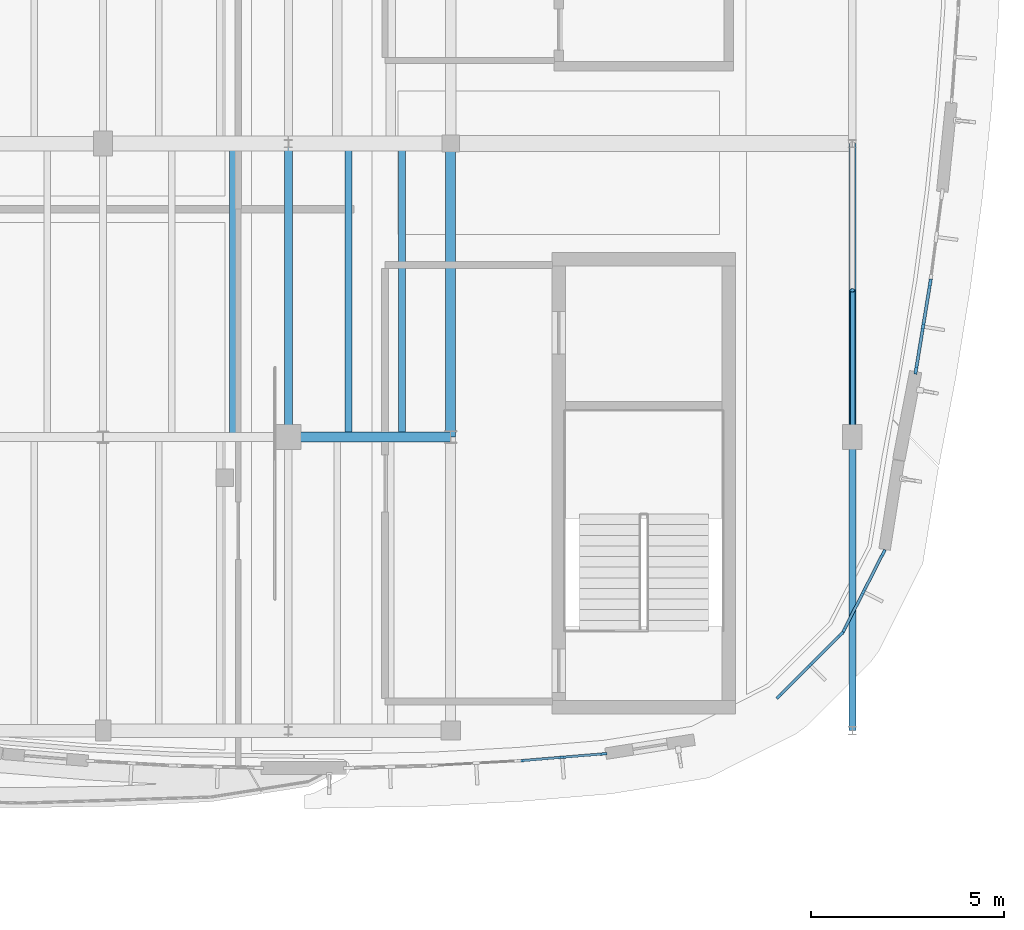
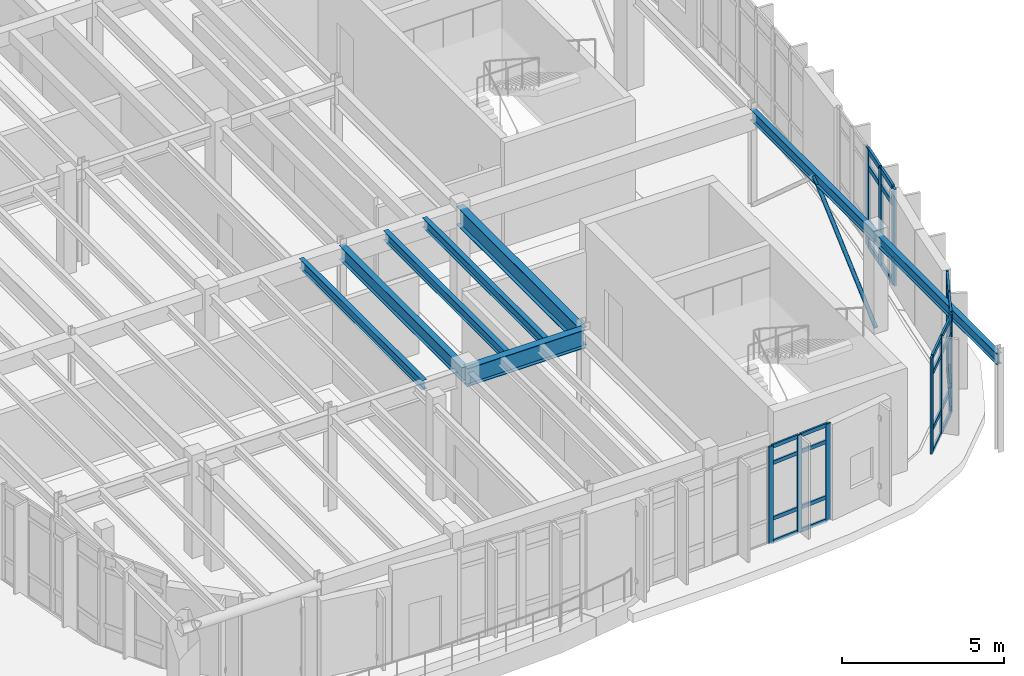
# One storey, part 42 of 105: 45 members, 8 beams, 4 elements without a shape of their own.
"""IFC4 building model written with IfcOpenShell, lengths in metres."""

from ifc_helpers import new_model, si_unit, direction, frame, origin, origin_2d, place, context, subcontext, project, spatial, rectangle, hollow_circle, i_section, extrude, material, material_profile, profile_set, type_object, element, aggregate, save


model = new_model("IFC4")

# Units and contexts
model_context = context("Model", 3, precision=1e-05, world=origin(), true_north=direction((0.0, 1.0)))
body_context = subcontext(model_context, "Body", "Model", "MODEL_VIEW")
ifc_project = project(units=[si_unit("LENGTHUNIT", "METRE"), si_unit("AREAUNIT", "SQUARE_METRE"), si_unit("VOLUMEUNIT", "CUBIC_METRE"), si_unit("PLANEANGLEUNIT", "RADIAN"), si_unit("MASSUNIT", "GRAM", prefix="KILO")], contexts=[model_context])

# Site, building, storey
site_placement = place(None, origin())
site = spatial("IfcSite", under=ifc_project, at=site_placement, CompositionType="ELEMENT")
building_placement = place(site_placement, origin())
building = spatial("IfcBuilding", under=site, at=building_placement, Name="Corveleigh Park Community Centre", CompositionType="ELEMENT")
storey_placement = place(building_placement, frame((0.0, 0.0, 8.699951171875)))
storey = spatial("IfcBuildingStorey", under=building, at=storey_placement, Name="L02", CompositionType="ELEMENT", Elevation=8.699951171875)

# Beams
ifc_material_1 = material(Name="Steel S355", Category="steel")
ifc_material_profile_1 = material_profile(ifc_material_1, i_section(OverallWidth=0.171142578125, OverallDepth=0.351318359375, WebThickness=0.007080078125, FlangeThickness=0.009765625, at=origin_2d()), Name="UKB 356x171x45", Category="steel")
ifc_profile_set_1 = profile_set([ifc_material_profile_1], Name="Steel S355")
beam_type_1 = type_object("IfcBeamType", Name="BM-STL-UKB356x45", PredefinedType="JOIST", material=ifc_profile_set_1)
beam_1_placement = place(storey_placement, frame((152.360107421875, 66.205078125, 3.46630859375), z_axis=(0.0, 1.0, 0.0), x_axis=(-1.0, 0.0, 0.0)))
element("IfcBeam", 1, at=beam_1_placement, inside=storey, type_object=beam_type_1, Name="Secondary floor joist", PredefinedType="JOIST", context=body_context, shape_type="SweptSolid", body=[
    extrude(i_section(OverallWidth=0.171142578125, OverallDepth=0.351318359375, WebThickness=0.007080078125, FlangeThickness=0.009765625, at=origin_2d()), origin(), (0.0, 0.0, 1.0), 7.58984375),
])
ifc_material_profile_2 = material_profile(ifc_material_1, i_section(OverallWidth=0.17138671875, OverallDepth=0.35498046875, WebThickness=0.00732421875, FlangeThickness=0.011474609375, at=origin_2d()), Name="UKB 356x171x51", Category="steel")
ifc_profile_set_2 = profile_set([ifc_material_profile_2], Name="Steel S355")
beam_type_2 = type_object("IfcBeamType", Name="BM-STL-UKB356x51", PredefinedType="JOIST", material=ifc_profile_set_2)
for number, where, z_axis, x_axis, name in (
    (2, (155.35400390625, 66.205078125, 3.464599609375), (0.0, 1.0, 0.0), (-1.0, 0.0, 0.0), "Secondary floor joist"),
    (3, (156.739990234375, 66.205078125, 3.464599609375), (0.0, 1.0, 0.0), (-1.0, 0.0, 0.0), "Secondary floor joist"),
):
    element("IfcBeam", number, at=place(storey_placement, frame(where, z_axis=z_axis, x_axis=x_axis)), inside=storey, type_object=beam_type_2, Name=name, PredefinedType="JOIST", context=body_context, shape_type="SweptSolid", body=[
        extrude(i_section(OverallWidth=0.17138671875, OverallDepth=0.35498046875, WebThickness=0.00732421875, FlangeThickness=0.011474609375, at=origin_2d()), origin(), (0.0, 0.0, 1.0), 7.58984375),
    ])
ifc_material_profile_3 = material_profile(ifc_material_1, i_section(OverallWidth=0.1787109375, OverallDepth=0.409423828125, WebThickness=0.0087890625, FlangeThickness=0.014404296875, at=origin_2d()), Name="UKB 406x178x67", Category="steel")
ifc_profile_set_3 = profile_set([ifc_material_profile_3], Name="Steel S355")
beam_type_3 = type_object("IfcBeamType", Name="BM-STL-UKB406x67", PredefinedType="BEAM", material=ifc_profile_set_3)
beam_2_placement = place(storey_placement, frame((168.39990234375, 58.60498046875, 3.437255859375), z_axis=(0.0, 1.0, 0.0), x_axis=(-1.0, 0.0, 0.0)))
element("IfcBeam", 4, at=beam_2_placement, inside=storey, type_object=beam_type_3, Name="V4 Girder Y", PredefinedType="BEAM", context=body_context, shape_type="SweptSolid", body=[
    extrude(i_section(OverallWidth=0.1787109375, OverallDepth=0.409423828125, WebThickness=0.0087890625, FlangeThickness=0.014404296875, at=origin_2d()), origin(), (0.0, 0.0, 1.0), 7.590087890625),
])
ifc_material_profile_4 = material_profile(ifc_material_1, i_section(OverallWidth=0.179443359375, OverallDepth=0.412841796875, WebThickness=0.009521484375, FlangeThickness=0.01611328125, at=origin_2d()), Name="UKB 406x178x74", Category="steel")
ifc_profile_set_4 = profile_set([ifc_material_profile_4], Name="Steel S355")
beam_type_4 = type_object("IfcBeamType", Name="BM-STL-UKB406x74", PredefinedType="BEAM", material=ifc_profile_set_4)
beam_3_placement = place(storey_placement, frame((168.39990234375, 66.205078125, 3.435546875), z_axis=(0.0, 1.0, 0.0), x_axis=(-1.0, 0.0, 0.0)))
element("IfcBeam", 5, at=beam_3_placement, inside=storey, type_object=beam_type_4, Name="V4 Girder Y", PredefinedType="BEAM", context=body_context, shape_type="SweptSolid", body=[
    extrude(i_section(OverallWidth=0.179443359375, OverallDepth=0.412841796875, WebThickness=0.009521484375, FlangeThickness=0.01611328125, at=origin_2d()), origin(), (0.0, 0.0, 1.0), 7.58984375),
])
ifc_material_profile_5 = material_profile(ifc_material_1, i_section(OverallWidth=0.209228515625, OverallDepth=0.533203125, WebThickness=0.010009765625, FlangeThickness=0.015625, at=origin_2d()), Name="UKB 533x210x92", Category="steel")
ifc_profile_set_5 = profile_set([ifc_material_profile_5], Name="Steel S355")
beam_type_5 = type_object("IfcBeamType", Name="BM-STL-UKB533x92", PredefinedType="BEAM", material=ifc_profile_set_5)
beam_4_placement = place(storey_placement, frame((153.800048828125, 66.205078125, 3.37548828125), z_axis=(0.0, 1.0, 0.0), x_axis=(-1.0, 0.0, 0.0)))
element("IfcBeam", 6, at=beam_4_placement, inside=storey, type_object=beam_type_5, Name="V4 Girder Y", PredefinedType="BEAM", context=body_context, shape_type="SweptSolid", body=[
    extrude(i_section(OverallWidth=0.209228515625, OverallDepth=0.533203125, WebThickness=0.010009765625, FlangeThickness=0.015625, at=origin_2d()), origin(), (0.0, 0.0, 1.0), 7.58984375),
])
ifc_material_profile_6 = material_profile(ifc_material_1, i_section(OverallWidth=0.253662109375, OverallDepth=0.68359375, WebThickness=0.012451171875, FlangeThickness=0.01904296875, at=origin_2d()), Name="UKB 686x254x140", Category="steel")
ifc_profile_set_6 = profile_set([ifc_material_profile_6], Name="Steel S355")
beam_type_6 = type_object("IfcBeamType", Name="BM-STL-UKB686x140", PredefinedType="BEAM", material=ifc_profile_set_6)
beam_5_placement = place(storey_placement, frame((153.804931640625, 66.199951171875, 3.30029296875), z_axis=(1.0, 0.0, 0.0), x_axis=(0.0, 1.0, 0.0)))
element("IfcBeam", 7, at=beam_5_placement, inside=storey, type_object=beam_type_6, Name="V4 Girder X", PredefinedType="BEAM", context=body_context, shape_type="SweptSolid", body=[
    extrude(i_section(OverallWidth=0.253662109375, OverallDepth=0.68359375, WebThickness=0.012451171875, FlangeThickness=0.01904296875, at=origin_2d()), origin(), (0.0, 0.0, 1.0), 4.190185546875),
])
ifc_material_profile_7 = material_profile(ifc_material_1, i_section(OverallWidth=0.25439453125, OverallDepth=0.6875, WebThickness=0.01318359375, FlangeThickness=0.02099609375, at=origin_2d()), Name="UKB 686x254x152", Category="steel")
ifc_profile_set_7 = profile_set([ifc_material_profile_7], Name="Steel S355")
beam_type_7 = type_object("IfcBeamType", Name="BM-STL-UKB686x152", PredefinedType="BEAM", material=ifc_profile_set_7)
beam_6_placement = place(storey_placement, frame((158.0, 66.205078125, 3.29833984375), z_axis=(0.0, 1.0, 0.0), x_axis=(-1.0, 0.0, 0.0)))
element("IfcBeam", 8, at=beam_6_placement, inside=storey, type_object=beam_type_7, Name="V4 Girder Y", PredefinedType="BEAM", context=body_context, shape_type="SweptSolid", body=[
    extrude(i_section(OverallWidth=0.25439453125, OverallDepth=0.6875, WebThickness=0.01318359375, FlangeThickness=0.02099609375, at=origin_2d()), origin(), (0.0, 0.0, 1.0), 7.58984375),
])

# Curtain wall, members
ifc_material_2 = material(Name="Anodised aluminium 6063-T6", Category="aluminium")
curtain_wall_type = type_object("IfcCurtainWallType", Name="CW-SYS-V4-L01", PredefinedType="NOTDEFINED", material=ifc_material_2)
curtain_wall_1_placement = place(storey_placement, origin())
curtain_wall_1 = element("IfcCurtainWall", 9, at=curtain_wall_1_placement, inside=storey, type_object=curtain_wall_type, Name="V4 L02 Curtain Wall 362", PredefinedType="NOTDEFINED")
ifc_material_profile_8 = material_profile(ifc_material_2, rectangle(XDim=0.06494140625, YDim=0.179931640625, at=origin_2d()), Name="ALU-M65x180", Category="aluminium")
ifc_profile_set_8 = profile_set([ifc_material_profile_8], Name="Anodised aluminium 6063-T6")
member_type_1 = type_object("IfcMemberType", Name="CWM-65x180", PredefinedType="MULLION", material=ifc_profile_set_8)
member_1_placement = place(storey_placement, frame((161.95458984375, 57.996337890625, 0.0), z_axis=(0.0, 0.0, 1.0), x_axis=(0.082371258806, -0.996601713686, 0.0)))
member_1 = element("IfcMember", 10, at=member_1_placement, type_object=member_type_1, Name="CW08 mullion 1", PredefinedType="MULLION", context=body_context, shape_type="SweptSolid", body=[
    extrude(rectangle(XDim=0.06494140625, YDim=0.179931640625, at=origin_2d()), origin(), (0.0, 0.0, 1.0), 3.64208984375),
])
member_2_placement = place(storey_placement, frame((160.885986328125, 57.907958984375, 0.0), z_axis=(0.0, 0.0, 1.0), x_axis=(0.082371258806, -0.996601713686, 0.0)))
member_2 = element("IfcMember", 11, at=member_2_placement, type_object=member_type_1, Name="CW08 mullion 2", PredefinedType="MULLION", context=body_context, shape_type="SweptSolid", body=[
    extrude(rectangle(XDim=0.06494140625, YDim=0.179931640625, at=origin_2d()), origin(), (0.0, 0.0, 1.0), 3.64208984375),
])
member_3_placement = place(storey_placement, frame((159.8173828125, 57.819580078125, 0.0), z_axis=(0.0, 0.0, 1.0), x_axis=(0.082371258806, -0.996601713686, 0.0)))
member_3 = element("IfcMember", 12, at=member_3_placement, type_object=member_type_1, Name="CW08 mullion 3", PredefinedType="MULLION", context=body_context, shape_type="SweptSolid", body=[
    extrude(rectangle(XDim=0.06494140625, YDim=0.179931640625, at=origin_2d()), origin(), (0.0, 0.0, 1.0), 3.64208984375),
])

curtain_wall_2_placement = place(storey_placement, origin())
curtain_wall_2 = element("IfcCurtainWall", 13, at=curtain_wall_2_placement, inside=storey, type_object=curtain_wall_type, Name="V4 L02 Curtain Wall 363", PredefinedType="NOTDEFINED")
ifc_material_profile_9 = material_profile(ifc_material_2, rectangle(XDim=0.070068359375, YDim=0.199951171875, at=origin_2d()), Name="ALU-M70x200", Category="aluminium")
ifc_profile_set_9 = profile_set([ifc_material_profile_9], Name="Anodised aluminium 6063-T6")
member_type_2 = type_object("IfcMemberType", Name="CWM-70x200", PredefinedType="MULLION", material=ifc_profile_set_9)
member_4_placement = place(storey_placement, frame((168.09716796875, 61.081298828125, 0.0), z_axis=(0.0, 0.0, 1.0), x_axis=(0.707106781187, -0.707106781187, 0.0)))
member_4 = element("IfcMember", 14, at=member_4_placement, type_object=member_type_2, Name="CW08 mullion 1", PredefinedType="MULLION", context=body_context, shape_type="SweptSolid", body=[
    extrude(rectangle(XDim=0.070068359375, YDim=0.199951171875, at=origin_2d()), origin(), (0.0, 0.0, 1.0), 3.64208984375),
])
member_5_placement = place(storey_placement, frame((167.30810546875, 60.2919921875, 0.0), z_axis=(0.0, 0.0, 1.0), x_axis=(0.707106781187, -0.707106781187, 0.0)))
member_5 = element("IfcMember", 15, at=member_5_placement, type_object=member_type_2, Name="CW08 mullion 2", PredefinedType="MULLION", context=body_context, shape_type="SweptSolid", body=[
    extrude(rectangle(XDim=0.070068359375, YDim=0.199951171875, at=origin_2d()), origin(), (0.0, 0.0, 1.0), 3.64208984375),
])
member_6_placement = place(storey_placement, frame((166.518798828125, 59.502685546875, 0.0), z_axis=(0.0, 0.0, 1.0), x_axis=(0.707106781187, -0.707106781187, 0.0)))
member_6 = element("IfcMember", 16, at=member_6_placement, type_object=member_type_2, Name="CW08 mullion 3", PredefinedType="MULLION", context=body_context, shape_type="SweptSolid", body=[
    extrude(rectangle(XDim=0.070068359375, YDim=0.199951171875, at=origin_2d()), origin(), (0.0, 0.0, 1.0), 3.64208984375),
])

curtain_wall_3_placement = place(storey_placement, origin())
curtain_wall_3 = element("IfcCurtainWall", 17, at=curtain_wall_3_placement, inside=storey, type_object=curtain_wall_type, Name="V4 L02 Curtain Wall 364", PredefinedType="NOTDEFINED")
ifc_material_profile_10 = material_profile(ifc_material_2, rectangle(XDim=0.074951171875, YDim=0.219970703125, at=origin_2d()), Name="ALU-M75x220", Category="aluminium")
ifc_profile_set_10 = profile_set([ifc_material_profile_10], Name="Anodised aluminium 6063-T6")
member_type_3 = type_object("IfcMemberType", Name="CWM-75x220", PredefinedType="MULLION", material=ifc_profile_set_10)
member_7_placement = place(storey_placement, frame((169.19384765625, 63.18359375, 0.0), z_axis=(0.0, 0.0, 1.0), x_axis=(0.8909233869, -0.454153628935, 0.0)))
member_7 = element("IfcMember", 18, at=member_7_placement, type_object=member_type_3, Name="CW08 mullion 1", PredefinedType="MULLION", context=body_context, shape_type="SweptSolid", body=[
    extrude(rectangle(XDim=0.074951171875, YDim=0.219970703125, at=origin_2d()), origin(), (0.0, 0.0, 1.0), 3.64208984375),
])
member_8_placement = place(storey_placement, frame((168.6884765625, 62.19189453125, 0.0), z_axis=(0.0, 0.0, 1.0), x_axis=(0.8909233869, -0.454153628935, 0.0)))
member_8 = element("IfcMember", 19, at=member_8_placement, type_object=member_type_3, Name="CW08 mullion 2", PredefinedType="MULLION", context=body_context, shape_type="SweptSolid", body=[
    extrude(rectangle(XDim=0.074951171875, YDim=0.219970703125, at=origin_2d()), origin(), (0.0, 0.0, 1.0), 3.64208984375),
])
member_9_placement = place(storey_placement, frame((168.18310546875, 61.200439453125, 0.0), z_axis=(0.0, 0.0, 1.0), x_axis=(0.8909233869, -0.454153628935, 0.0)))
member_9 = element("IfcMember", 20, at=member_9_placement, type_object=member_type_3, Name="CW08 mullion 3", PredefinedType="MULLION", context=body_context, shape_type="SweptSolid", body=[
    extrude(rectangle(XDim=0.074951171875, YDim=0.219970703125, at=origin_2d()), origin(), (0.0, 0.0, 1.0), 3.64208984375),
])

curtain_wall_4_placement = place(storey_placement, origin())
curtain_wall_4 = element("IfcCurtainWall", 21, at=curtain_wall_4_placement, inside=storey, type_object=curtain_wall_type, Name="V4 L02 Curtain Wall 365", PredefinedType="NOTDEFINED")
ifc_material_profile_11 = material_profile(ifc_material_2, rectangle(XDim=0.080078125, YDim=0.25, at=origin_2d()), Name="ALU-M80x250", Category="aluminium")
ifc_profile_set_11 = profile_set([ifc_material_profile_11], Name="Anodised aluminium 6063-T6")
member_type_4 = type_object("IfcMemberType", Name="CWM-80x250", PredefinedType="MULLION", material=ifc_profile_set_11)
member_10_placement = place(storey_placement, frame((170.41259765625, 70.16845703125, 0.0), z_axis=(0.0, 0.0, 1.0), x_axis=(0.986991410962, -0.160772991165, 0.0)))
member_10 = element("IfcMember", 22, at=member_10_placement, type_object=member_type_4, Name="CW08 mullion 1", PredefinedType="MULLION", context=body_context, shape_type="SweptSolid", body=[
    extrude(rectangle(XDim=0.080078125, YDim=0.25, at=origin_2d()), origin(), (0.0, 0.0, 1.0), 3.64208984375),
])
member_11_placement = place(storey_placement, frame((170.23193359375, 69.06005859375, 0.0), z_axis=(0.0, 0.0, 1.0), x_axis=(0.986991410962, -0.160772991165, 0.0)))
member_11 = element("IfcMember", 23, at=member_11_placement, type_object=member_type_4, Name="CW08 mullion 2", PredefinedType="MULLION", context=body_context, shape_type="SweptSolid", body=[
    extrude(rectangle(XDim=0.080078125, YDim=0.25, at=origin_2d()), origin(), (0.0, 0.0, 1.0), 3.64208984375),
])
member_12_placement = place(storey_placement, frame((170.051513671875, 67.951416015625, 0.0), z_axis=(0.0, 0.0, 1.0), x_axis=(0.986991410962, -0.160772991165, 0.0)))
member_12 = element("IfcMember", 24, at=member_12_placement, type_object=member_type_4, Name="CW08 mullion 3", PredefinedType="MULLION", context=body_context, shape_type="SweptSolid", body=[
    extrude(rectangle(XDim=0.080078125, YDim=0.25, at=origin_2d()), origin(), (0.0, 0.0, 1.0), 3.64208984375),
])

# Member
ifc_material_profile_12 = material_profile(ifc_material_2, rectangle(XDim=0.06494140625, YDim=0.139892578125, at=origin_2d()), Name="ALU-T65x140", Category="aluminium")
ifc_profile_set_12 = profile_set([ifc_material_profile_12], Name="Anodised aluminium 6063-T6")
member_type_5 = type_object("IfcMemberType", Name="CWT-65x140", PredefinedType="USERDEFINED", material=ifc_profile_set_12)
member_13_placement = place(storey_placement, frame((161.922119140625, 57.99365234375, 0.032470703125), z_axis=(-0.996597392351, -0.082423525517, 0.0), x_axis=(0.082423525517, -0.996597392351, 0.0)))
member_13 = element("IfcMember", 25, at=member_13_placement, type_object=member_type_5, Name="CW08 transom 1.1", ObjectType="TRANSOM", PredefinedType="USERDEFINED", context=body_context, shape_type="SweptSolid", body=[
    extrude(rectangle(XDim=0.06494140625, YDim=0.139892578125, at=origin_2d()), origin(), (0.0, 0.0, 1.0), 1.007080078125),
])

member_14_placement = place(storey_placement, frame((161.922119140625, 57.99365234375, 0.900146484375), z_axis=(-0.996597392351, -0.082423525517, 0.0), x_axis=(0.082423525517, -0.996597392351, 0.0)))
member_14 = element("IfcMember", 26, at=member_14_placement, type_object=member_type_5, Name="CW08 transom 1.2", ObjectType="TRANSOM", PredefinedType="USERDEFINED", context=body_context, shape_type="SweptSolid", body=[
    extrude(rectangle(XDim=0.06494140625, YDim=0.139892578125, at=origin_2d()), origin(), (0.0, 0.0, 1.0), 1.007080078125),
])

member_15_placement = place(storey_placement, frame((161.922119140625, 57.99365234375, 2.991943359375), z_axis=(-0.996597392351, -0.082423525517, 0.0), x_axis=(0.082423525517, -0.996597392351, 0.0)))
member_15 = element("IfcMember", 27, at=member_15_placement, type_object=member_type_5, Name="CW08 transom 1.3", ObjectType="TRANSOM", PredefinedType="USERDEFINED", context=body_context, shape_type="SweptSolid", body=[
    extrude(rectangle(XDim=0.06494140625, YDim=0.139892578125, at=origin_2d()), origin(), (0.0, 0.0, 1.0), 1.007080078125),
])

member_16_placement = place(storey_placement, frame((161.922119140625, 57.99365234375, 3.609619140625), z_axis=(-0.996597392351, -0.082423525517, 0.0), x_axis=(0.082423525517, -0.996597392351, 0.0)))
member_16 = element("IfcMember", 28, at=member_16_placement, type_object=member_type_5, Name="CW08 transom 1.4", ObjectType="TRANSOM", PredefinedType="USERDEFINED", context=body_context, shape_type="SweptSolid", body=[
    extrude(rectangle(XDim=0.06494140625, YDim=0.139892578125, at=origin_2d()), origin(), (0.0, 0.0, 1.0), 1.007080078125),
])

member_17_placement = place(storey_placement, frame((160.853515625, 57.9052734375, 0.032470703125), z_axis=(-0.996597392351, -0.082423525517, 0.0), x_axis=(0.082423525517, -0.996597392351, 0.0)))
member_17 = element("IfcMember", 29, at=member_17_placement, type_object=member_type_5, Name="CW08 transom 2.1", ObjectType="TRANSOM", PredefinedType="USERDEFINED", context=body_context, shape_type="SweptSolid", body=[
    extrude(rectangle(XDim=0.06494140625, YDim=0.139892578125, at=origin_2d()), origin(), (0.0, 0.0, 1.0), 1.007080078125),
])

member_18_placement = place(storey_placement, frame((160.853515625, 57.9052734375, 0.900146484375), z_axis=(-0.996597392351, -0.082423525517, 0.0), x_axis=(0.082423525517, -0.996597392351, 0.0)))
member_18 = element("IfcMember", 30, at=member_18_placement, type_object=member_type_5, Name="CW08 transom 2.2", ObjectType="TRANSOM", PredefinedType="USERDEFINED", context=body_context, shape_type="SweptSolid", body=[
    extrude(rectangle(XDim=0.06494140625, YDim=0.139892578125, at=origin_2d()), origin(), (0.0, 0.0, 1.0), 1.007080078125),
])

member_19_placement = place(storey_placement, frame((160.853515625, 57.9052734375, 2.991943359375), z_axis=(-0.996597392351, -0.082423525517, 0.0), x_axis=(0.082423525517, -0.996597392351, 0.0)))
member_19 = element("IfcMember", 31, at=member_19_placement, type_object=member_type_5, Name="CW08 transom 2.3", ObjectType="TRANSOM", PredefinedType="USERDEFINED", context=body_context, shape_type="SweptSolid", body=[
    extrude(rectangle(XDim=0.06494140625, YDim=0.139892578125, at=origin_2d()), origin(), (0.0, 0.0, 1.0), 1.007080078125),
])

member_20_placement = place(storey_placement, frame((160.853515625, 57.9052734375, 3.609619140625), z_axis=(-0.996597392351, -0.082423525517, 0.0), x_axis=(0.082423525517, -0.996597392351, 0.0)))
member_20 = element("IfcMember", 32, at=member_20_placement, type_object=member_type_5, Name="CW08 transom 2.4", ObjectType="TRANSOM", PredefinedType="USERDEFINED", context=body_context, shape_type="SweptSolid", body=[
    extrude(rectangle(XDim=0.06494140625, YDim=0.139892578125, at=origin_2d()), origin(), (0.0, 0.0, 1.0), 1.007080078125),
])

aggregate(curtain_wall_1, [member_1, member_2, member_3, member_13, member_14, member_15, member_16, member_17, member_18, member_19, member_20])

ifc_material_profile_13 = material_profile(ifc_material_2, rectangle(XDim=0.070068359375, YDim=0.155029296875, at=origin_2d()), Name="ALU-T70x155", Category="aluminium")
ifc_profile_set_13 = profile_set([ifc_material_profile_13], Name="Anodised aluminium 6063-T6")
member_type_6 = type_object("IfcMemberType", Name="CWT-70x155", PredefinedType="USERDEFINED", material=ifc_profile_set_13)
member_21_placement = place(storey_placement, frame((168.072509765625, 61.056396484375, 0.03515625), z_axis=(-0.707106781187, -0.707106781187, 0.0), x_axis=(0.707106781187, -0.707106781187, 0.0)))
member_21 = element("IfcMember", 33, at=member_21_placement, type_object=member_type_6, Name="CW08 transom 1.1", ObjectType="TRANSOM", PredefinedType="USERDEFINED", context=body_context, shape_type="SweptSolid", body=[
    extrude(rectangle(XDim=0.070068359375, YDim=0.155029296875, at=origin_2d()), origin(), (0.0, 0.0, 1.0), 1.046142578125),
])

member_22_placement = place(storey_placement, frame((168.072509765625, 61.056396484375, 0.900146484375), z_axis=(-0.707106781187, -0.707106781187, 0.0), x_axis=(0.707106781187, -0.707106781187, 0.0)))
member_22 = element("IfcMember", 34, at=member_22_placement, type_object=member_type_6, Name="CW08 transom 1.2", ObjectType="TRANSOM", PredefinedType="USERDEFINED", context=body_context, shape_type="SweptSolid", body=[
    extrude(rectangle(XDim=0.070068359375, YDim=0.155029296875, at=origin_2d()), origin(), (0.0, 0.0, 1.0), 1.046142578125),
])

member_23_placement = place(storey_placement, frame((168.072509765625, 61.056396484375, 2.991943359375), z_axis=(-0.707106781187, -0.707106781187, 0.0), x_axis=(0.707106781187, -0.707106781187, 0.0)))
member_23 = element("IfcMember", 35, at=member_23_placement, type_object=member_type_6, Name="CW08 transom 1.3", ObjectType="TRANSOM", PredefinedType="USERDEFINED", context=body_context, shape_type="SweptSolid", body=[
    extrude(rectangle(XDim=0.070068359375, YDim=0.155029296875, at=origin_2d()), origin(), (0.0, 0.0, 1.0), 1.046142578125),
])

member_24_placement = place(storey_placement, frame((168.072509765625, 61.056396484375, 3.60693359375), z_axis=(-0.707106781187, -0.707106781187, 0.0), x_axis=(0.707106781187, -0.707106781187, 0.0)))
member_24 = element("IfcMember", 36, at=member_24_placement, type_object=member_type_6, Name="CW08 transom 1.4", ObjectType="TRANSOM", PredefinedType="USERDEFINED", context=body_context, shape_type="SweptSolid", body=[
    extrude(rectangle(XDim=0.070068359375, YDim=0.155029296875, at=origin_2d()), origin(), (0.0, 0.0, 1.0), 1.046142578125),
])

member_25_placement = place(storey_placement, frame((167.283203125, 60.267333984375, 0.03515625), z_axis=(-0.707106781187, -0.707106781187, 0.0), x_axis=(0.707106781187, -0.707106781187, 0.0)))
member_25 = element("IfcMember", 37, at=member_25_placement, type_object=member_type_6, Name="CW08 transom 2.1", ObjectType="TRANSOM", PredefinedType="USERDEFINED", context=body_context, shape_type="SweptSolid", body=[
    extrude(rectangle(XDim=0.070068359375, YDim=0.155029296875, at=origin_2d()), origin(), (0.0, 0.0, 1.0), 1.046142578125),
])

member_26_placement = place(storey_placement, frame((167.283203125, 60.267333984375, 0.900146484375), z_axis=(-0.707106781187, -0.707106781187, 0.0), x_axis=(0.707106781187, -0.707106781187, 0.0)))
member_26 = element("IfcMember", 38, at=member_26_placement, type_object=member_type_6, Name="CW08 transom 2.2", ObjectType="TRANSOM", PredefinedType="USERDEFINED", context=body_context, shape_type="SweptSolid", body=[
    extrude(rectangle(XDim=0.070068359375, YDim=0.155029296875, at=origin_2d()), origin(), (0.0, 0.0, 1.0), 1.046142578125),
])

member_27_placement = place(storey_placement, frame((167.283203125, 60.267333984375, 2.991943359375), z_axis=(-0.707106781187, -0.707106781187, 0.0), x_axis=(0.707106781187, -0.707106781187, 0.0)))
member_27 = element("IfcMember", 39, at=member_27_placement, type_object=member_type_6, Name="CW08 transom 2.3", ObjectType="TRANSOM", PredefinedType="USERDEFINED", context=body_context, shape_type="SweptSolid", body=[
    extrude(rectangle(XDim=0.070068359375, YDim=0.155029296875, at=origin_2d()), origin(), (0.0, 0.0, 1.0), 1.046142578125),
])

member_28_placement = place(storey_placement, frame((167.283203125, 60.267333984375, 3.60693359375), z_axis=(-0.707106781187, -0.707106781187, 0.0), x_axis=(0.707106781187, -0.707106781187, 0.0)))
member_28 = element("IfcMember", 40, at=member_28_placement, type_object=member_type_6, Name="CW08 transom 2.4", ObjectType="TRANSOM", PredefinedType="USERDEFINED", context=body_context, shape_type="SweptSolid", body=[
    extrude(rectangle(XDim=0.070068359375, YDim=0.155029296875, at=origin_2d()), origin(), (0.0, 0.0, 1.0), 1.046142578125),
])

aggregate(curtain_wall_2, [member_4, member_5, member_6, member_21, member_22, member_23, member_24, member_25, member_26, member_27, member_28])

ifc_material_profile_14 = material_profile(ifc_material_2, rectangle(XDim=0.074951171875, YDim=0.175048828125, at=origin_2d()), Name="ALU-T75x175", Category="aluminium")
ifc_profile_set_14 = profile_set([ifc_material_profile_14], Name="Anodised aluminium 6063-T6")
member_type_7 = type_object("IfcMemberType", Name="CWT-75x175", PredefinedType="USERDEFINED", material=ifc_profile_set_14)
member_29_placement = place(storey_placement, frame((169.177001953125, 63.150146484375, 0.03759765625), z_axis=(-0.454161824833, -0.890919208943, 0.0), x_axis=(0.890919208943, -0.454161824833, 0.0)))
member_29 = element("IfcMember", 41, at=member_29_placement, type_object=member_type_7, Name="CW08 transom 1.1", ObjectType="TRANSOM", PredefinedType="USERDEFINED", context=body_context, shape_type="SweptSolid", body=[
    extrude(rectangle(XDim=0.074951171875, YDim=0.175048828125, at=origin_2d()), origin(), (0.0, 0.0, 1.0), 1.0380859375),
])

member_30_placement = place(storey_placement, frame((169.177001953125, 63.150146484375, 0.900146484375), z_axis=(-0.454161824833, -0.890919208943, 0.0), x_axis=(0.890919208943, -0.454161824833, 0.0)))
member_30 = element("IfcMember", 42, at=member_30_placement, type_object=member_type_7, Name="CW08 transom 1.2", ObjectType="TRANSOM", PredefinedType="USERDEFINED", context=body_context, shape_type="SweptSolid", body=[
    extrude(rectangle(XDim=0.074951171875, YDim=0.175048828125, at=origin_2d()), origin(), (0.0, 0.0, 1.0), 1.0380859375),
])

member_31_placement = place(storey_placement, frame((169.177001953125, 63.150146484375, 2.991943359375), z_axis=(-0.454161824833, -0.890919208943, 0.0), x_axis=(0.890919208943, -0.454161824833, 0.0)))
member_31 = element("IfcMember", 43, at=member_31_placement, type_object=member_type_7, Name="CW08 transom 1.3", ObjectType="TRANSOM", PredefinedType="USERDEFINED", context=body_context, shape_type="SweptSolid", body=[
    extrude(rectangle(XDim=0.074951171875, YDim=0.175048828125, at=origin_2d()), origin(), (0.0, 0.0, 1.0), 1.0380859375),
])

member_32_placement = place(storey_placement, frame((169.177001953125, 63.150146484375, 3.6044921875), z_axis=(-0.454161824833, -0.890919208943, 0.0), x_axis=(0.890919208943, -0.454161824833, 0.0)))
member_32 = element("IfcMember", 44, at=member_32_placement, type_object=member_type_7, Name="CW08 transom 1.4", ObjectType="TRANSOM", PredefinedType="USERDEFINED", context=body_context, shape_type="SweptSolid", body=[
    extrude(rectangle(XDim=0.074951171875, YDim=0.175048828125, at=origin_2d()), origin(), (0.0, 0.0, 1.0), 1.0380859375),
])

member_33_placement = place(storey_placement, frame((168.67138671875, 62.15869140625, 0.03759765625), z_axis=(-0.454161824833, -0.890919208943, 0.0), x_axis=(0.890919208943, -0.454161824833, 0.0)))
member_33 = element("IfcMember", 45, at=member_33_placement, type_object=member_type_7, Name="CW08 transom 2.1", ObjectType="TRANSOM", PredefinedType="USERDEFINED", context=body_context, shape_type="SweptSolid", body=[
    extrude(rectangle(XDim=0.074951171875, YDim=0.175048828125, at=origin_2d()), origin(), (0.0, 0.0, 1.0), 1.0380859375),
])

member_34_placement = place(storey_placement, frame((168.67138671875, 62.15869140625, 0.900146484375), z_axis=(-0.454161824833, -0.890919208943, 0.0), x_axis=(0.890919208943, -0.454161824833, 0.0)))
member_34 = element("IfcMember", 46, at=member_34_placement, type_object=member_type_7, Name="CW08 transom 2.2", ObjectType="TRANSOM", PredefinedType="USERDEFINED", context=body_context, shape_type="SweptSolid", body=[
    extrude(rectangle(XDim=0.074951171875, YDim=0.175048828125, at=origin_2d()), origin(), (0.0, 0.0, 1.0), 1.0380859375),
])

member_35_placement = place(storey_placement, frame((168.67138671875, 62.15869140625, 2.991943359375), z_axis=(-0.454161824833, -0.890919208943, 0.0), x_axis=(0.890919208943, -0.454161824833, 0.0)))
member_35 = element("IfcMember", 47, at=member_35_placement, type_object=member_type_7, Name="CW08 transom 2.3", ObjectType="TRANSOM", PredefinedType="USERDEFINED", context=body_context, shape_type="SweptSolid", body=[
    extrude(rectangle(XDim=0.074951171875, YDim=0.175048828125, at=origin_2d()), origin(), (0.0, 0.0, 1.0), 1.0380859375),
])

member_36_placement = place(storey_placement, frame((168.67138671875, 62.15869140625, 3.6044921875), z_axis=(-0.454161824833, -0.890919208943, 0.0), x_axis=(0.890919208943, -0.454161824833, 0.0)))
member_36 = element("IfcMember", 48, at=member_36_placement, type_object=member_type_7, Name="CW08 transom 2.4", ObjectType="TRANSOM", PredefinedType="USERDEFINED", context=body_context, shape_type="SweptSolid", body=[
    extrude(rectangle(XDim=0.074951171875, YDim=0.175048828125, at=origin_2d()), origin(), (0.0, 0.0, 1.0), 1.0380859375),
])

aggregate(curtain_wall_3, [member_7, member_8, member_9, member_29, member_30, member_31, member_32, member_33, member_34, member_35, member_36])

ifc_material_profile_15 = material_profile(ifc_material_2, rectangle(XDim=0.080078125, YDim=0.195068359375, at=origin_2d()), Name="ALU-T80x195", Category="aluminium")
ifc_profile_set_15 = profile_set([ifc_material_profile_15], Name="Anodised aluminium 6063-T6")
member_type_8 = type_object("IfcMemberType", Name="CWT-80x195", PredefinedType="USERDEFINED", material=ifc_profile_set_15)
member_37_placement = place(storey_placement, frame((170.40625, 70.129150390625, 0.0400390625), z_axis=(-0.160755120684, -0.986994321754, 0.0), x_axis=(0.986994321754, -0.160755120684, 0.0)))
member_37 = element("IfcMember", 49, at=member_37_placement, type_object=member_type_8, Name="CW08 transom 1.1", ObjectType="TRANSOM", PredefinedType="USERDEFINED", context=body_context, shape_type="SweptSolid", body=[
    extrude(rectangle(XDim=0.080078125, YDim=0.195068359375, at=origin_2d()), origin(), (0.0, 0.0, 1.0), 1.04345703125),
])

member_38_placement = place(storey_placement, frame((170.40625, 70.129150390625, 0.900146484375), z_axis=(-0.160755120684, -0.986994321754, 0.0), x_axis=(0.986994321754, -0.160755120684, 0.0)))
member_38 = element("IfcMember", 50, at=member_38_placement, type_object=member_type_8, Name="CW08 transom 1.2", ObjectType="TRANSOM", PredefinedType="USERDEFINED", context=body_context, shape_type="SweptSolid", body=[
    extrude(rectangle(XDim=0.080078125, YDim=0.195068359375, at=origin_2d()), origin(), (0.0, 0.0, 1.0), 1.04345703125),
])

member_39_placement = place(storey_placement, frame((170.40625, 70.129150390625, 2.991943359375), z_axis=(-0.160755120684, -0.986994321754, 0.0), x_axis=(0.986994321754, -0.160755120684, 0.0)))
member_39 = element("IfcMember", 51, at=member_39_placement, type_object=member_type_8, Name="CW08 transom 1.3", ObjectType="TRANSOM", PredefinedType="USERDEFINED", context=body_context, shape_type="SweptSolid", body=[
    extrude(rectangle(XDim=0.080078125, YDim=0.195068359375, at=origin_2d()), origin(), (0.0, 0.0, 1.0), 1.04345703125),
])

member_40_placement = place(storey_placement, frame((170.40625, 70.129150390625, 3.60205078125), z_axis=(-0.160755120684, -0.986994321754, 0.0), x_axis=(0.986994321754, -0.160755120684, 0.0)))
member_40 = element("IfcMember", 52, at=member_40_placement, type_object=member_type_8, Name="CW08 transom 1.4", ObjectType="TRANSOM", PredefinedType="USERDEFINED", context=body_context, shape_type="SweptSolid", body=[
    extrude(rectangle(XDim=0.080078125, YDim=0.195068359375, at=origin_2d()), origin(), (0.0, 0.0, 1.0), 1.04345703125),
])

member_41_placement = place(storey_placement, frame((170.2255859375, 69.0205078125, 0.0400390625), z_axis=(-0.160792255949, -0.98698827269, 0.0), x_axis=(0.98698827269, -0.160792255949, 0.0)))
member_41 = element("IfcMember", 53, at=member_41_placement, type_object=member_type_8, Name="CW08 transom 2.1", ObjectType="TRANSOM", PredefinedType="USERDEFINED", context=body_context, shape_type="SweptSolid", body=[
    extrude(rectangle(XDim=0.080078125, YDim=0.195068359375, at=origin_2d()), origin(), (0.0, 0.0, 1.0), 1.043212890625),
])

member_42_placement = place(storey_placement, frame((170.2255859375, 69.0205078125, 0.900146484375), z_axis=(-0.160792255949, -0.98698827269, 0.0), x_axis=(0.98698827269, -0.160792255949, 0.0)))
member_42 = element("IfcMember", 54, at=member_42_placement, type_object=member_type_8, Name="CW08 transom 2.2", ObjectType="TRANSOM", PredefinedType="USERDEFINED", context=body_context, shape_type="SweptSolid", body=[
    extrude(rectangle(XDim=0.080078125, YDim=0.195068359375, at=origin_2d()), origin(), (0.0, 0.0, 1.0), 1.043212890625),
])

member_43_placement = place(storey_placement, frame((170.2255859375, 69.0205078125, 2.991943359375), z_axis=(-0.160792255949, -0.98698827269, 0.0), x_axis=(0.98698827269, -0.160792255949, 0.0)))
member_43 = element("IfcMember", 55, at=member_43_placement, type_object=member_type_8, Name="CW08 transom 2.3", ObjectType="TRANSOM", PredefinedType="USERDEFINED", context=body_context, shape_type="SweptSolid", body=[
    extrude(rectangle(XDim=0.080078125, YDim=0.195068359375, at=origin_2d()), origin(), (0.0, 0.0, 1.0), 1.043212890625),
])

member_44_placement = place(storey_placement, frame((170.2255859375, 69.0205078125, 3.60205078125), z_axis=(-0.160792255949, -0.98698827269, 0.0), x_axis=(0.98698827269, -0.160792255949, 0.0)))
member_44 = element("IfcMember", 56, at=member_44_placement, type_object=member_type_8, Name="CW08 transom 2.4", ObjectType="TRANSOM", PredefinedType="USERDEFINED", context=body_context, shape_type="SweptSolid", body=[
    extrude(rectangle(XDim=0.080078125, YDim=0.195068359375, at=origin_2d()), origin(), (0.0, 0.0, 1.0), 1.043212890625),
])

aggregate(curtain_wall_4, [member_10, member_11, member_12, member_37, member_38, member_39, member_40, member_41, member_42, member_43, member_44])

ifc_material_profile_16 = material_profile(ifc_material_1, hollow_circle(Radius=0.06982421875, WallThickness=0.008056640625, at=origin_2d()), Name="CHS 139.7x8.0", Category="steel")
ifc_profile_set_16 = profile_set([ifc_material_profile_16], Name="Steel S355")
member_type_9 = type_object("IfcMemberType", Name="MEM-BRC-CHS140", PredefinedType="BRACE", material=ifc_profile_set_16)
member_45_placement = place(storey_placement, frame((168.39990234375, 66.199951171875, 0.0), z_axis=(0.0, 0.746016744516, 0.665927185886), x_axis=(-1.0, 0.0, 0.0)))
element("IfcMember", 57, at=member_45_placement, inside=storey, type_object=member_type_9, Name="Spine chevron brace", PredefinedType="BRACE", context=body_context, shape_type="SweptSolid", body=[
    extrude(hollow_circle(Radius=0.06982421875, WallThickness=0.008056640625, at=origin_2d()), origin(), (0.0, 0.0, 1.0), 5.09375),
])

save(model, "model.ifc")
